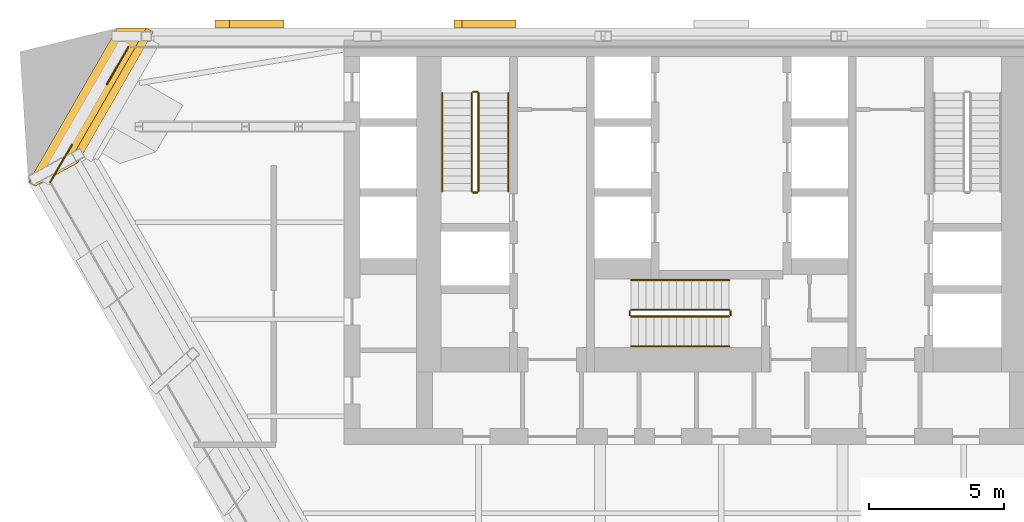
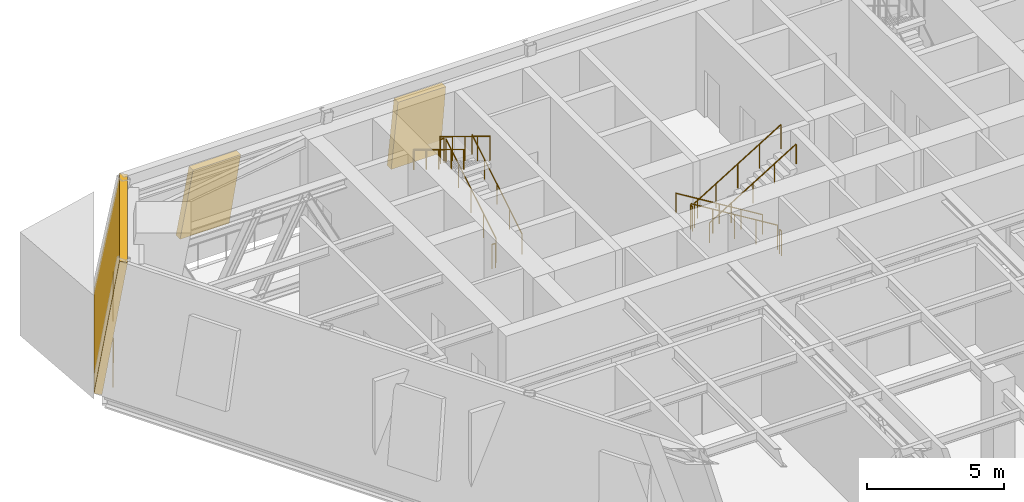
# One storey, part 7 of 9: 14 railings, 2 shading devices, 1 covering.
"""IFC4 building model written with IfcOpenShell, lengths in metres."""

from ifc_helpers import new_model, si_unit, direction, frame, origin, origin_2d, place, context, subcontext, project, spatial, polyline, circle, outline, extrude, material, layer, layer_set, type_object, element, save


model = new_model("IFC4")

# Units and contexts
model_context = context("Model", 3, precision=1e-05, world=origin(), true_north=direction((0.0, 1.0)))
body_context = subcontext(model_context, "Body", "Model", "MODEL_VIEW")
ifc_project = project(units=[si_unit("LENGTHUNIT", "METRE"), si_unit("AREAUNIT", "SQUARE_METRE"), si_unit("VOLUMEUNIT", "CUBIC_METRE"), si_unit("PLANEANGLEUNIT", "RADIAN"), si_unit("MASSUNIT", "GRAM", prefix="KILO")], contexts=[model_context])

# Site, building, storey
site_placement = place(None, origin())
site = spatial("IfcSite", under=ifc_project, at=site_placement, CompositionType="ELEMENT")
building_placement = place(site_placement, origin())
building = spatial("IfcBuilding", under=site, at=building_placement, Name="Aloe Facet Convention Tower", CompositionType="ELEMENT")
storey_placement = place(building_placement, frame((0.0, 0.0, 77.0)))
storey = spatial("IfcBuildingStorey", under=building, at=storey_placement, Name="L18", CompositionType="ELEMENT", Elevation=77.0)

# Railings
ifc_material_1 = material(Name="Steel S355 balustrade", Category="steel")
railing_type_1 = type_object("IfcRailingType", Name="CR-RL-GUARD", PredefinedType="GUARDRAIL", material=ifc_material_1)
railing_1_placement = place(storey_placement, frame((71.0, 128.949951171875, 0.17138671875)))
element("IfcRailing", 1, at=railing_1_placement, inside=storey, type_object=railing_type_1, Name="L18 ST1 stair guard 1", PredefinedType="GUARDRAIL", context=body_context, shape_type="SweptSolid", body=[
    extrude(circle(Radius=0.02392578125, at=origin_2d()), frame((0.0, 0.0, 1.076171875), z_axis=(0.0, 0.852865859571, 0.52213008492), x_axis=(-1.0, 0.0, 0.0)), (0.0, 0.0, 1.0), 4.26806640625),
    extrude(circle(Radius=0.02099609375, at=origin_2d()), origin(), (0.0, 0.0, 1.0), 1.052001953125),
    extrude(circle(Radius=0.02099609375, at=origin_2d()), frame((0.0, 0.91015625, 0.55712890625)), (0.0, 0.0, 1.0), 1.052001953125),
    extrude(circle(Radius=0.02099609375, at=origin_2d()), frame((0.0, 1.820068359375, 1.1142578125)), (0.0, 0.0, 1.0), 1.052001953125),
    extrude(circle(Radius=0.02099609375, at=origin_2d()), frame((0.0, 2.72998046875, 1.67138671875)), (0.0, 0.0, 1.0), 1.052001953125),
    extrude(circle(Radius=0.02099609375, at=origin_2d()), frame((0.0, 3.64013671875, 2.228515625)), (0.0, 0.0, 1.0), 1.052001953125),
])
railing_2_placement = place(storey_placement, frame((70.949951171875, 132.639892578125, 2.39990234375)))
element("IfcRailing", 2, at=railing_2_placement, inside=storey, type_object=railing_type_1, Name="L18 ST1 stair guard 2", PredefinedType="GUARDRAIL", context=body_context, shape_type="SweptSolid", body=[
    extrude(circle(Radius=0.02392578125, at=origin_2d()), frame((0.0, 0.0, 1.076171875), z_axis=(-1.0, 0.0, 0.0), x_axis=(0.0, -1.0, 0.0)), (0.0, 0.0, 1.0), 0.14990234375),
    extrude(circle(Radius=0.02099609375, at=origin_2d()), origin(), (0.0, 0.0, 1.0), 1.052001953125),
    extrude(circle(Radius=0.02099609375, at=origin_2d()), frame((-0.14990234375, 0.0, 0.0)), (0.0, 0.0, 1.0), 1.052001953125),
])
railing_3_placement = place(storey_placement, frame((70.75, 132.590087890625, 2.571533203125)))
element("IfcRailing", 3, at=railing_3_placement, inside=storey, type_object=railing_type_1, Name="L18 ST1 stair guard 3", PredefinedType="GUARDRAIL", context=body_context, shape_type="SweptSolid", body=[
    extrude(circle(Radius=0.02392578125, at=origin_2d()), frame((0.0, 0.0, 1.076171875), z_axis=(0.0, -0.852865859571, 0.52213008492), x_axis=(1.0, 0.0, 0.0)), (0.0, 0.0, 1.0), 4.26806640625),
    extrude(circle(Radius=0.02099609375, at=origin_2d()), origin(), (0.0, 0.0, 1.0), 1.052001953125),
    extrude(circle(Radius=0.02099609375, at=origin_2d()), frame((0.0, -0.91015625, 0.55712890625)), (0.0, 0.0, 1.0), 1.052001953125),
    extrude(circle(Radius=0.02099609375, at=origin_2d()), frame((0.0, -1.820068359375, 1.1142578125)), (0.0, 0.0, 1.0), 1.052001953125),
    extrude(circle(Radius=0.02099609375, at=origin_2d()), frame((0.0, -2.72998046875, 1.67138671875)), (0.0, 0.0, 1.0), 1.052001953125),
    extrude(circle(Radius=0.02099609375, at=origin_2d()), frame((0.0, -3.64013671875, 2.228515625)), (0.0, 0.0, 1.0), 1.052001953125),
])
railing_4_placement = place(storey_placement, frame((70.949951171875, 128.89990234375, 0.0)))
element("IfcRailing", 4, at=railing_4_placement, inside=storey, type_object=railing_type_1, Name="L18 ST1 stair guard 4", PredefinedType="GUARDRAIL", context=body_context, shape_type="SweptSolid", body=[
    extrude(circle(Radius=0.02392578125, at=origin_2d()), frame((0.0, 0.0, 1.076171875), z_axis=(-1.0, 0.0, 0.0), x_axis=(0.0, -1.0, 0.0)), (0.0, 0.0, 1.0), 0.14990234375),
    extrude(circle(Radius=0.02099609375, at=origin_2d()), origin(), (0.0, 0.0, 1.0), 1.052001953125),
    extrude(circle(Radius=0.02099609375, at=origin_2d()), frame((-0.14990234375, 0.0, 0.0)), (0.0, 0.0, 1.0), 1.052001953125),
])
railing_5_placement = place(storey_placement, frame((80.300048828125, 124.550048828125, 0.17138671875)))
element("IfcRailing", 5, at=railing_5_placement, inside=storey, type_object=railing_type_1, Name="L18 ST3 stair guard 1", PredefinedType="GUARDRAIL", context=body_context, shape_type="SweptSolid", body=[
    extrude(circle(Radius=0.02392578125, at=origin_2d()), frame((0.0, 0.0, 1.076171875), z_axis=(-0.852865859571, 0.0, 0.52213008492), x_axis=(0.0, -1.0, 0.0)), (0.0, 0.0, 1.0), 4.26806640625),
    extrude(circle(Radius=0.02099609375, at=origin_2d()), origin(), (0.0, 0.0, 1.0), 1.052001953125),
    extrude(circle(Radius=0.02099609375, at=origin_2d()), frame((-0.91015625, 0.0, 0.55712890625)), (0.0, 0.0, 1.0), 1.052001953125),
    extrude(circle(Radius=0.02099609375, at=origin_2d()), frame((-1.820068359375, 0.0, 1.1142578125)), (0.0, 0.0, 1.0), 1.052001953125),
    extrude(circle(Radius=0.02099609375, at=origin_2d()), frame((-2.72998046875, 0.0, 1.67138671875)), (0.0, 0.0, 1.0), 1.052001953125),
    extrude(circle(Radius=0.02099609375, at=origin_2d()), frame((-3.64013671875, 0.0, 2.228515625)), (0.0, 0.0, 1.0), 1.052001953125),
])
railing_6_placement = place(storey_placement, frame((76.610107421875, 124.5, 2.39990234375)))
element("IfcRailing", 6, at=railing_6_placement, inside=storey, type_object=railing_type_1, Name="L18 ST3 stair guard 2", PredefinedType="GUARDRAIL", context=body_context, shape_type="SweptSolid", body=[
    extrude(circle(Radius=0.02392578125, at=origin_2d()), frame((0.0, 0.0, 1.076171875), z_axis=(0.0, -1.0, 0.0), x_axis=(1.0, 0.0, 0.0)), (0.0, 0.0, 1.0), 0.14990234375),
    extrude(circle(Radius=0.02099609375, at=origin_2d()), origin(), (0.0, 0.0, 1.0), 1.052001953125),
    extrude(circle(Radius=0.02099609375, at=origin_2d()), frame((0.0, -0.14990234375, 0.0)), (0.0, 0.0, 1.0), 1.052001953125),
])
railing_7_placement = place(storey_placement, frame((76.659912109375, 124.300048828125, 2.571533203125)))
element("IfcRailing", 7, at=railing_7_placement, inside=storey, type_object=railing_type_1, Name="L18 ST3 stair guard 3", PredefinedType="GUARDRAIL", context=body_context, shape_type="SweptSolid", body=[
    extrude(circle(Radius=0.02392578125, at=origin_2d()), frame((0.0, 0.0, 1.076171875), z_axis=(0.852865859571, 0.0, 0.52213008492), x_axis=(0.0, 1.0, 0.0)), (0.0, 0.0, 1.0), 4.26806640625),
    extrude(circle(Radius=0.02099609375, at=origin_2d()), origin(), (0.0, 0.0, 1.0), 1.052001953125),
    extrude(circle(Radius=0.02099609375, at=origin_2d()), frame((0.91015625, 0.0, 0.55712890625)), (0.0, 0.0, 1.0), 1.052001953125),
    extrude(circle(Radius=0.02099609375, at=origin_2d()), frame((1.820068359375, 0.0, 1.1142578125)), (0.0, 0.0, 1.0), 1.052001953125),
    extrude(circle(Radius=0.02099609375, at=origin_2d()), frame((2.72998046875, 0.0, 1.67138671875)), (0.0, 0.0, 1.0), 1.052001953125),
    extrude(circle(Radius=0.02099609375, at=origin_2d()), frame((3.64013671875, 0.0, 2.228515625)), (0.0, 0.0, 1.0), 1.052001953125),
])
railing_8_placement = place(storey_placement, frame((80.35009765625, 124.5, 0.0)))
element("IfcRailing", 8, at=railing_8_placement, inside=storey, type_object=railing_type_1, Name="L18 ST3 stair guard 4", PredefinedType="GUARDRAIL", context=body_context, shape_type="SweptSolid", body=[
    extrude(circle(Radius=0.02392578125, at=origin_2d()), frame((0.0, 0.0, 1.076171875), z_axis=(0.0, -1.0, 0.0), x_axis=(1.0, 0.0, 0.0)), (0.0, 0.0, 1.0), 0.14990234375),
    extrude(circle(Radius=0.02099609375, at=origin_2d()), origin(), (0.0, 0.0, 1.0), 1.052001953125),
    extrude(circle(Radius=0.02099609375, at=origin_2d()), frame((0.0, -0.14990234375, 0.0)), (0.0, 0.0, 1.0), 1.052001953125),
])
ifc_material_2 = material(Name="Steel S355 handrail", Category="steel")
railing_type_2 = type_object("IfcRailingType", Name="CR-RL-HAND", PredefinedType="HANDRAIL", material=ifc_material_2)
railing_9_placement = place(storey_placement, frame((72.10009765625, 128.949951171875, 0.17138671875)))
element("IfcRailing", 9, at=railing_9_placement, inside=storey, type_object=railing_type_2, Name="L18 ST1 stair handrail 1", PredefinedType="HANDRAIL", context=body_context, shape_type="SweptSolid", body=[
    extrude(circle(Radius=0.02392578125, at=origin_2d()), frame((0.0, 0.0, 0.8759765625), z_axis=(0.0, 0.852865859571, 0.52213008492), x_axis=(-1.0, 0.0, 0.0)), (0.0, 0.0, 1.0), 4.26806640625),
    extrude(circle(Radius=0.02099609375, at=origin_2d()), origin(), (0.0, 0.0, 1.0), 0.851806640625),
    extrude(circle(Radius=0.02099609375, at=origin_2d()), frame((0.0, 0.91015625, 0.55712890625)), (0.0, 0.0, 1.0), 0.851806640625),
    extrude(circle(Radius=0.02099609375, at=origin_2d()), frame((0.0, 1.820068359375, 1.1142578125)), (0.0, 0.0, 1.0), 0.851806640625),
    extrude(circle(Radius=0.02099609375, at=origin_2d()), frame((0.0, 2.72998046875, 1.67138671875)), (0.0, 0.0, 1.0), 0.851806640625),
    extrude(circle(Radius=0.02099609375, at=origin_2d()), frame((0.0, 3.64013671875, 2.228515625)), (0.0, 0.0, 1.0), 0.851806640625),
])
railing_10_placement = place(storey_placement, frame((69.64990234375, 132.590087890625, 2.571533203125)))
element("IfcRailing", 10, at=railing_10_placement, inside=storey, type_object=railing_type_2, Name="L18 ST1 stair handrail 2", PredefinedType="HANDRAIL", context=body_context, shape_type="SweptSolid", body=[
    extrude(circle(Radius=0.02392578125, at=origin_2d()), frame((0.0, 0.0, 0.8759765625), z_axis=(0.0, -0.852865859571, 0.52213008492), x_axis=(1.0, 0.0, 0.0)), (0.0, 0.0, 1.0), 4.26806640625),
    extrude(circle(Radius=0.02099609375, at=origin_2d()), origin(), (0.0, 0.0, 1.0), 0.851806640625),
    extrude(circle(Radius=0.02099609375, at=origin_2d()), frame((0.0, -0.91015625, 0.55712890625)), (0.0, 0.0, 1.0), 0.851806640625),
    extrude(circle(Radius=0.02099609375, at=origin_2d()), frame((0.0, -1.820068359375, 1.1142578125)), (0.0, 0.0, 1.0), 0.851806640625),
    extrude(circle(Radius=0.02099609375, at=origin_2d()), frame((0.0, -2.72998046875, 1.67138671875)), (0.0, 0.0, 1.0), 0.851806640625),
    extrude(circle(Radius=0.02099609375, at=origin_2d()), frame((0.0, -3.64013671875, 2.228515625)), (0.0, 0.0, 1.0), 0.851806640625),
])
railing_11_placement = place(storey_placement, frame((80.300048828125, 125.64990234375, 0.17138671875)))
element("IfcRailing", 11, at=railing_11_placement, inside=storey, type_object=railing_type_2, Name="L18 ST3 stair handrail 1", PredefinedType="HANDRAIL", context=body_context, shape_type="SweptSolid", body=[
    extrude(circle(Radius=0.02392578125, at=origin_2d()), frame((0.0, 0.0, 0.8759765625), z_axis=(-0.852865859571, 0.0, 0.52213008492), x_axis=(0.0, -1.0, 0.0)), (0.0, 0.0, 1.0), 4.26806640625),
    extrude(circle(Radius=0.02099609375, at=origin_2d()), origin(), (0.0, 0.0, 1.0), 0.851806640625),
    extrude(circle(Radius=0.02099609375, at=origin_2d()), frame((-0.91015625, 0.0, 0.55712890625)), (0.0, 0.0, 1.0), 0.851806640625),
    extrude(circle(Radius=0.02099609375, at=origin_2d()), frame((-1.820068359375, 0.0, 1.1142578125)), (0.0, 0.0, 1.0), 0.851806640625),
    extrude(circle(Radius=0.02099609375, at=origin_2d()), frame((-2.72998046875, 0.0, 1.67138671875)), (0.0, 0.0, 1.0), 0.851806640625),
    extrude(circle(Radius=0.02099609375, at=origin_2d()), frame((-3.64013671875, 0.0, 2.228515625)), (0.0, 0.0, 1.0), 0.851806640625),
])
railing_12_placement = place(storey_placement, frame((76.659912109375, 123.199951171875, 2.571533203125)))
element("IfcRailing", 12, at=railing_12_placement, inside=storey, type_object=railing_type_2, Name="L18 ST3 stair handrail 2", PredefinedType="HANDRAIL", context=body_context, shape_type="SweptSolid", body=[
    extrude(circle(Radius=0.02392578125, at=origin_2d()), frame((0.0, 0.0, 0.8759765625), z_axis=(0.852865859571, 0.0, 0.52213008492), x_axis=(0.0, 1.0, 0.0)), (0.0, 0.0, 1.0), 4.26806640625),
    extrude(circle(Radius=0.02099609375, at=origin_2d()), origin(), (0.0, 0.0, 1.0), 0.851806640625),
    extrude(circle(Radius=0.02099609375, at=origin_2d()), frame((0.91015625, 0.0, 0.55712890625)), (0.0, 0.0, 1.0), 0.851806640625),
    extrude(circle(Radius=0.02099609375, at=origin_2d()), frame((1.820068359375, 0.0, 1.1142578125)), (0.0, 0.0, 1.0), 0.851806640625),
    extrude(circle(Radius=0.02099609375, at=origin_2d()), frame((2.72998046875, 0.0, 1.67138671875)), (0.0, 0.0, 1.0), 0.851806640625),
    extrude(circle(Radius=0.02099609375, at=origin_2d()), frame((3.64013671875, 0.0, 2.228515625)), (0.0, 0.0, 1.0), 0.851806640625),
])

# Covering
ifc_material_3 = material(Name="Granite cladding, bronze anchors", Category="masonry")
ifc_layer_1 = layer(ifc_material_3, 0.300048828125)
ifc_layer_set_1 = layer_set([ifc_layer_1], Name="EV-CLAD-STONE")
covering_type = type_object("IfcCoveringType", Name="EV-CLAD-STONE", PredefinedType="CLADDING", material=ifc_layer_set_1)
covering_placement = place(storey_placement, frame((57.60009765625, 135.0, 0.0), z_axis=(-0.850084950272, 0.490797018451, 0.190981318458), x_axis=(-0.500000255716, -0.866025256147, -4.13111e-07)))
element("IfcCovering", 13, at=covering_placement, inside=storey, type_object=covering_type, Name="CLADDING L18-A", PredefinedType="CLADDING", context=body_context, shape_type="SweptSolid", body=[
    extrude(outline(polyline([(0.0, 0.0), (6.600070008158472, -1.1102230246251565e-16), (5.060933934202276, 4.890058950093989), (-0.5391868290200823, 4.890053815557037), (0.0, 0.0)])), origin(), (0.0, 0.0, -1.0), 0.300048828125),
])

# Railings
ifc_material_4 = material(Name="Steel S355", Category="steel")
railing_type_3 = type_object("IfcRailingType", Name="EV-GUARD-PORTAL", PredefinedType="GUARDRAIL", material=ifc_material_4)
for number, where, name in (
    (14, (55.1083984375, 129.2841796875, 0.0), "GUARD L18-7"),
    (15, (57.206298828125, 132.91796875, 0.0), "GUARD L18-8"),
):
    element("IfcRailing", number, at=place(storey_placement, frame(where)), inside=storey, type_object=railing_type_3, Name=name, PredefinedType="GUARDRAIL", context=body_context, shape_type="SweptSolid", body=[
        extrude(circle(Radius=0.02392578125, at=origin_2d()), frame((0.0, 0.0, 1.076171875), z_axis=(0.499956412987, 0.866050567295, 0.0), x_axis=(-0.866050567295, 0.499956412987, 0.0)), (0.0, 0.0, 1.0), 1.595947265625),
        extrude(circle(Radius=0.02099609375, at=origin_2d()), origin(), (0.0, 0.0, 1.0), 1.052001953125),
        extrude(circle(Radius=0.02099609375, at=origin_2d()), frame((0.39892578125, 0.69091796875, 0.0)), (0.0, 0.0, 1.0), 1.052001953125),
        extrude(circle(Radius=0.02099609375, at=origin_2d()), frame((0.7978515625, 1.382080078125, 0.0)), (0.0, 0.0, 1.0), 1.052001953125),
    ])

# Shading devices
ifc_material_5 = material(Name="Aluminium, anodised", Category="aluminium")
ifc_layer_2 = layer(ifc_material_5, 0.300048828125)
ifc_layer_set_2 = layer_set([ifc_layer_2], Name="EV-LOUVRE-BELT")
shading_device_type = type_object("IfcShadingDeviceType", Name="EV-LOUVRE-BELT", PredefinedType="JALOUSIE", material=ifc_layer_set_2)
shading_device_1_placement = place(storey_placement, frame((72.16162109375, 135.300048828125, 0.9599609375), z_axis=(0.0, 1.0, 0.0), x_axis=(-1.0, 0.0, 0.0)))
element("IfcShadingDevice", 16, at=shading_device_1_placement, inside=storey, type_object=shading_device_type, Name="LOUVRE L18-N11", PredefinedType="JALOUSIE", context=body_context, shape_type="SweptSolid", body=[
    extrude(outline(polyline([(0.0, 0.0), (2.070556640625, 0.0), (1.781494140625, 2.880126953125), (-0.228515625, 2.880126953125), (0.0, 0.0)])), origin(), (0.0, 0.0, -1.0), 0.300048828125),
])
shading_device_2_placement = place(storey_placement, frame((63.287841796875, 135.300048828125, 0.9599609375), z_axis=(0.0, 1.0, 0.0), x_axis=(-1.0, 0.0, 0.0)))
element("IfcShadingDevice", 17, at=shading_device_2_placement, inside=storey, type_object=shading_device_type, Name="LOUVRE L18-N14", PredefinedType="JALOUSIE", context=body_context, shape_type="SweptSolid", body=[
    extrude(outline(polyline([(0.0, 0.0), (2.070556640625, 0.0), (1.522705078125, 2.880126953125), (-0.487548828125, 2.880126953125), (0.0, 0.0)])), origin(), (0.0, 0.0, -1.0), 0.300048828125),
])

save(model, "model.ifc")
